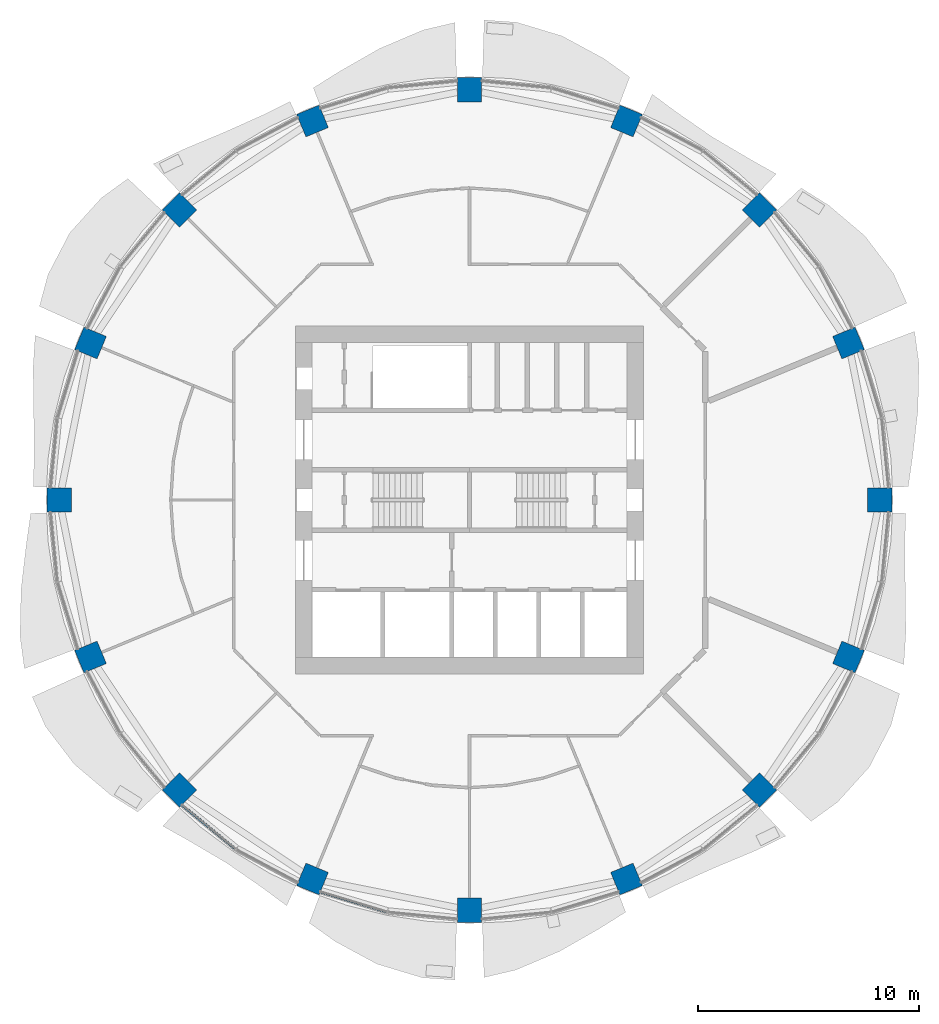
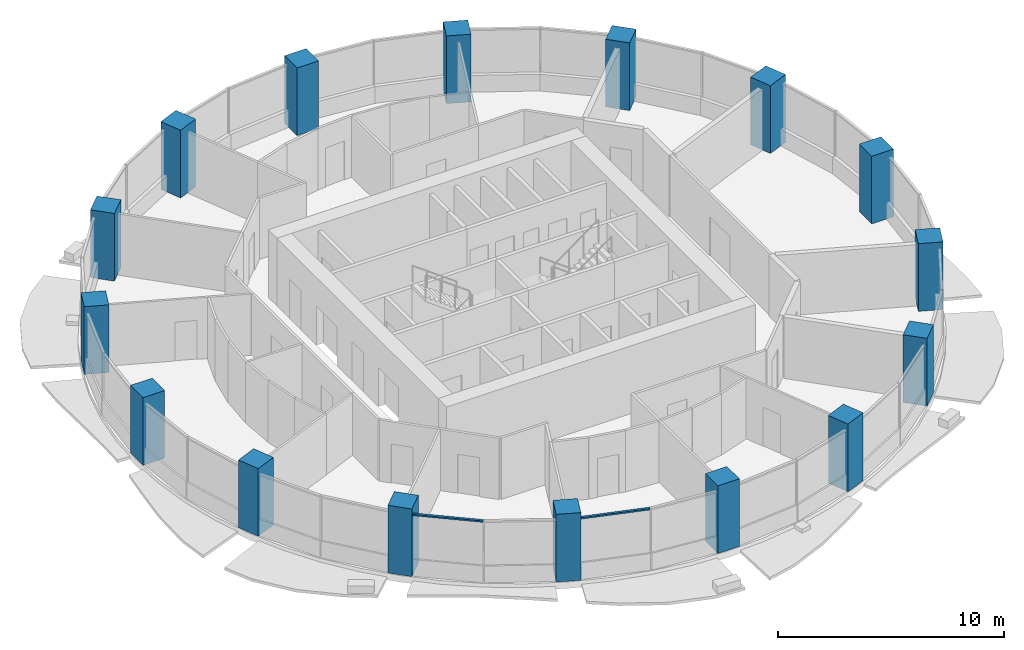
# One storey, part 1 of 14: 16 columns, 2 members, 2 elements without a shape of their own.
"""IFC4 building model written with IfcOpenShell, lengths in metres."""

from ifc_helpers import new_model, si_unit, direction, frame, origin, origin_2d, place, context, subcontext, project, spatial, rectangle, extrude, material, material_profile, profile_set, type_object, element, aggregate, save


model = new_model("IFC4")

# Units and contexts
model_context = context("Model", 3, precision=1e-05, world=origin(), true_north=direction((0.0, 1.0)))
body_context = subcontext(model_context, "Body", "Model", "MODEL_VIEW")
ifc_project = project(units=[si_unit("LENGTHUNIT", "METRE"), si_unit("AREAUNIT", "SQUARE_METRE"), si_unit("VOLUMEUNIT", "CUBIC_METRE"), si_unit("PLANEANGLEUNIT", "RADIAN"), si_unit("MASSUNIT", "GRAM", prefix="KILO")], contexts=[model_context])

# Site, building, storey
site_placement = place(None, origin())
site = spatial("IfcSite", under=ifc_project, at=site_placement, CompositionType="ELEMENT")
building_placement = place(site_placement, origin())
building = spatial("IfcBuilding", under=site, at=building_placement, Name="Polderwave Tower", CompositionType="ELEMENT")
storey_placement = place(building_placement, frame((0.0, 0.0, 112.89990234375)))
storey = spatial("IfcBuildingStorey", under=building, at=storey_placement, Name="L29", CompositionType="ELEMENT", Elevation=112.89990234375)

# Columns
ifc_material_1 = material(Name="Concrete C70/85", Category="concrete")
ifc_material_profile_1 = material_profile(ifc_material_1, rectangle(XDim=1.10009765625, YDim=1.10009765625, at=origin_2d()), Name="RC 1100x1100")
ifc_profile_set_1 = profile_set([ifc_material_profile_1], Name="Concrete C70/85")
column_type = type_object("IfcColumnType", Name="RC COLUMN 1100x1100 C70/85", PredefinedType="COLUMN", material=ifc_profile_set_1)
for number, where, z_axis, x_axis, name in (
    (1, (18.580078125, 0.0, 0.0), (0.0, 0.0, 1.0), (1.0, 0.0, 0.0), "Ring column 01"),
    (2, (17.165771484375, 7.1103515625, 0.0), (0.0, 0.0, 1.0), (0.923879532511, 0.382683432365, 0.0), "Ring column 02"),
    (3, (13.137939453125, 13.137939453125, 0.0), (0.0, 0.0, 1.0), (0.707106781187, 0.707106781187, 0.0), "Ring column 03"),
    (4, (7.1103515625, 17.165771484375, 0.0), (0.0, 0.0, 1.0), (0.382683432365, 0.923879532511, 0.0), "Ring column 04"),
    (5, (0.0, 18.580078125, 0.0), (0.0, 0.0, 1.0), (0.0, 1.0, 0.0), "Ring column 05"),
    (6, (-7.1103515625, 17.165771484375, 0.0), (0.0, 0.0, 1.0), (-0.382683432365, 0.923879532511, 0.0), "Ring column 06"),
    (7, (-13.137939453125, 13.137939453125, 0.0), (0.0, 0.0, 1.0), (-0.707106781187, 0.707106781187, 0.0), "Ring column 07"),
    (8, (-17.165771484375, 7.1103515625, 0.0), (0.0, 0.0, 1.0), (-0.923879532511, 0.382683432365, 0.0), "Ring column 08"),
    (9, (-18.580078125, 0.0, 0.0), (0.0, 0.0, 1.0), (-1.0, 0.0, 0.0), "Ring column 09"),
    (10, (-17.165771484375, -7.1103515625, 0.0), (0.0, 0.0, 1.0), (-0.923879532511, -0.382683432365, 0.0), "Ring column 10"),
    (11, (-13.137939453125, -13.137939453125, 0.0), (0.0, 0.0, 1.0), (-0.707106781187, -0.707106781187, 0.0), "Ring column 11"),
    (12, (-7.1103515625, -17.165771484375, 0.0), (0.0, 0.0, 1.0), (-0.382683432365, -0.923879532511, 0.0), "Ring column 12"),
    (13, (0.0, -18.580078125, 0.0), (0.0, 0.0, 1.0), (0.0, -1.0, 0.0), "Ring column 13"),
    (14, (7.1103515625, -17.165771484375, 0.0), (0.0, 0.0, 1.0), (0.382683432365, -0.923879532511, 0.0), "Ring column 14"),
    (15, (13.137939453125, -13.137939453125, 0.0), (0.0, 0.0, 1.0), (0.707106781187, -0.707106781187, 0.0), "Ring column 15"),
    (16, (17.165771484375, -7.1103515625, 0.0), (0.0, 0.0, 1.0), (0.923879532511, -0.382683432365, 0.0), "Ring column 16"),
):
    element("IfcColumn", number, at=place(storey_placement, frame(where, z_axis=z_axis, x_axis=x_axis)), inside=storey, type_object=column_type, Name=name, PredefinedType="COLUMN", context=body_context, shape_type="SweptSolid", body=[
        extrude(rectangle(XDim=1.10009765625, YDim=1.10009765625, at=origin_2d()), origin(), (0.0, 0.0, 1.0), 3.650146484375),
    ])

# Curtain wall, member
ifc_material_2 = material(Name="Aluminium 6063-T6 and glass", Category="aluminium")
curtain_wall_type = type_object("IfcCurtainWallType", Name="Growing floor ribbon glazing wall", PredefinedType="NOTDEFINED", material=ifc_material_2)
curtain_wall_1_placement = place(storey_placement, origin())
curtain_wall_1 = element("IfcCurtainWall", 17, at=curtain_wall_1_placement, inside=storey, type_object=curtain_wall_type, Name="CW2 L29 10", PredefinedType="NOTDEFINED")
ifc_material_3 = material(Name="Aluminium 6063-T6", Category="aluminium")
ifc_material_profile_2 = material_profile(ifc_material_3, rectangle(XDim=0.1201171875, YDim=0.080078125, at=origin_2d()), Name="AL 80x120")
ifc_profile_set_2 = profile_set([ifc_material_profile_2], Name="Aluminium 6063-T6")
member_type = type_object("IfcMemberType", Name="Growing floor ribbon glazing transom 80x120", PredefinedType="USERDEFINED", material=ifc_profile_set_2)
member_1_placement = place(storey_placement, frame((-13.029052734375, -13.806884765625, 3.260009765625), z_axis=(0.77293681351, -0.634483003965, 0.0), x_axis=(0.634483003965, 0.77293681351, 0.0)))
member_1 = element("IfcMember", 18, at=member_1_placement, type_object=member_type, Name="CW2 transom 1", ObjectType="TRANSOM", PredefinedType="USERDEFINED", context=body_context, shape_type="SweptSolid", body=[
    extrude(rectangle(XDim=0.1201171875, YDim=0.080078125, at=origin_2d()), origin(), (0.0, 0.0, 1.0), 3.1474609375),
])
aggregate(curtain_wall_1, [member_1])

curtain_wall_2_placement = place(storey_placement, origin())
curtain_wall_2 = element("IfcCurtainWall", 19, at=curtain_wall_2_placement, inside=storey, type_object=curtain_wall_type, Name="CW2 L29 11", PredefinedType="NOTDEFINED")
member_2_placement = place(storey_placement, frame((-6.75390625, -17.741943359375, 3.260009765625), z_axis=(0.956976770627, -0.290164540356, 0.0), x_axis=(0.290164540356, 0.956976770627, 0.0)))
member_2 = element("IfcMember", 20, at=member_2_placement, type_object=member_type, Name="CW2 transom 1", ObjectType="TRANSOM", PredefinedType="USERDEFINED", context=body_context, shape_type="SweptSolid", body=[
    extrude(rectangle(XDim=0.1201171875, YDim=0.080078125, at=origin_2d()), origin(), (0.0, 0.0, 1.0), 3.147705078125),
])
aggregate(curtain_wall_2, [member_2])

save(model, "model.ifc")
